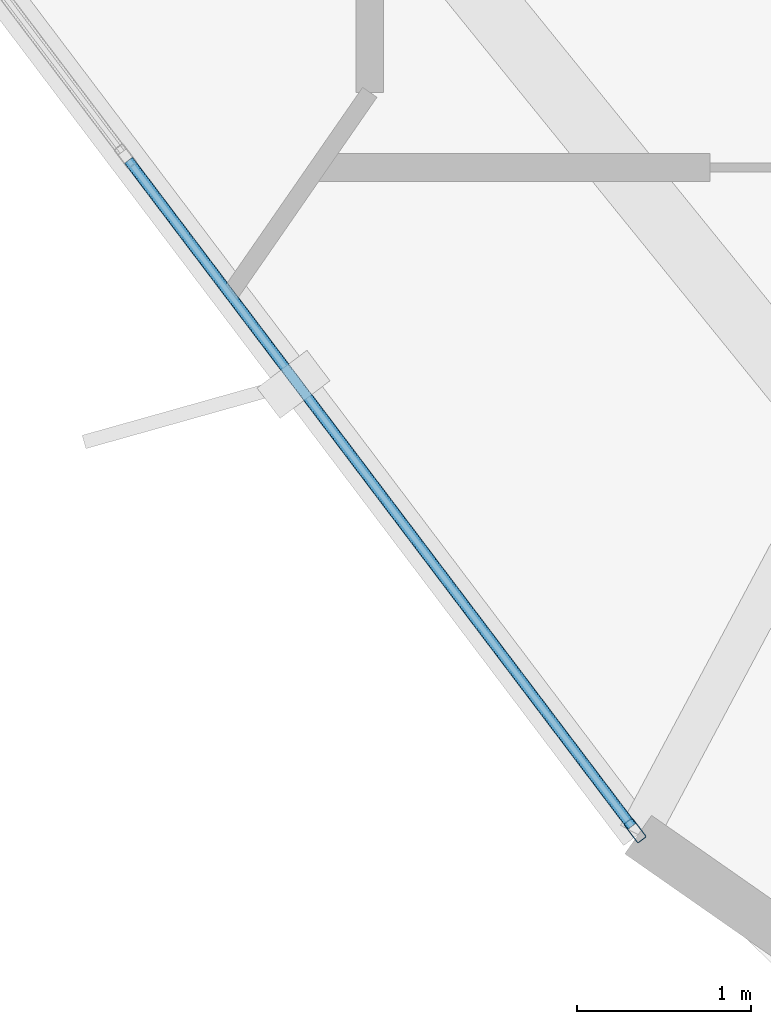
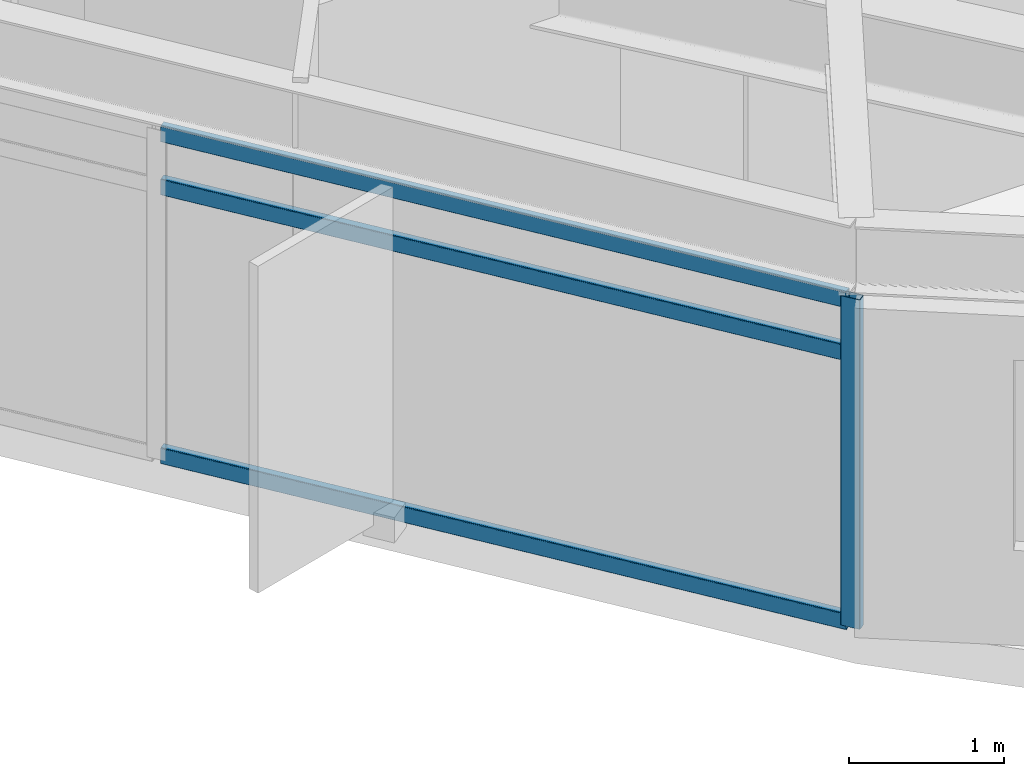
# One storey, part 2 of 34: 4 members, 1 element without a shape of its own.
"""IFC4 building model written with IfcOpenShell, lengths in metres."""

from ifc_helpers import new_model, si_unit, direction, frame, origin, origin_2d, place, context, subcontext, project, spatial, hollow_rectangle, extrude, material, layer, layer_set, material_profile, profile_set, type_object, element, aggregate, save


model = new_model("IFC4")

# Units and contexts
model_context = context("Model", 3, precision=1e-05, world=origin(), true_north=direction((0.0, 1.0)))
body_context = subcontext(model_context, "Body", "Model", "MODEL_VIEW")
ifc_project = project(units=[si_unit("LENGTHUNIT", "METRE"), si_unit("AREAUNIT", "SQUARE_METRE"), si_unit("VOLUMEUNIT", "CUBIC_METRE"), si_unit("PLANEANGLEUNIT", "RADIAN"), si_unit("MASSUNIT", "GRAM", prefix="KILO")], contexts=[model_context])

# Site, building, storey
site_placement = place(None, origin())
site = spatial("IfcSite", under=ifc_project, at=site_placement, CompositionType="ELEMENT")
building_placement = place(site_placement, origin())
building = spatial("IfcBuilding", under=site, at=building_placement, Name="Soratama Intermodal Tower", CompositionType="ELEMENT")
storey_placement = place(building_placement, frame((0.0, 0.0, 233.800048828125)))
storey = spatial("IfcBuildingStorey", under=building, at=storey_placement, Name="L59", CompositionType="ELEMENT", Elevation=233.800048828125)

# Curtain wall, members
ifc_material_1 = material(Name="Double-glazed aluminium curtain wall", Category="aluminium")
ifc_layer = layer(ifc_material_1, 0.159912109375)
ifc_layer_set = layer_set([ifc_layer], Name="Double-glazed aluminium curtain wall")
curtain_wall_type = type_object("IfcCurtainWallType", Name="CW-SYS-5", PredefinedType="NOTDEFINED", material=ifc_layer_set)
curtain_wall_placement = place(storey_placement, origin())
curtain_wall = element("IfcCurtainWall", 1, at=curtain_wall_placement, inside=storey, type_object=curtain_wall_type, Name="L59 Faceted Curtain Wall F05", PredefinedType="NOTDEFINED")
ifc_material_2 = material(Name="Anodised aluminium AA 6063-T6", Category="aluminium")
ifc_material_profile_1 = material_profile(ifc_material_2, hollow_rectangle(XDim=0.06494140625, YDim=0.139892578125, WallThickness=0.0048828125, InnerFilletRadius=0.0048828125, OuterFilletRadius=0.010009765625, at=origin_2d()), Name="CWM140X65X5")
ifc_profile_set_1 = profile_set([ifc_material_profile_1], Name="Anodised aluminium AA 6063-T6")
member_type_1 = type_object("IfcMemberType", Name="MT-CWM-5", PredefinedType="MULLION", material=ifc_profile_set_1)
member_1_placement = place(storey_placement, frame((32.07763671875, 9.13134765625, 0.0), z_axis=(0.0, 0.0, 1.0), x_axis=(0.797793680769, 0.602930545689, 0.0)))
member_1 = element("IfcMember", 2, at=member_1_placement, type_object=member_type_1, Name="CW-5 mullion 3", PredefinedType="MULLION", context=body_context, shape_type="SweptSolid", body=[
    extrude(hollow_rectangle(XDim=0.06494140625, YDim=0.139892578125, WallThickness=0.0048828125, InnerFilletRadius=0.0048828125, OuterFilletRadius=0.010009765625, at=origin_2d()), origin(), (0.0, 0.0, 1.0), 2.598876953125),
])
ifc_material_3 = material(Name="Anodised aluminium AA 6063-T6", Category="aluminium")
ifc_material_profile_2 = material_profile(ifc_material_3, hollow_rectangle(XDim=0.06005859375, YDim=0.1298828125, WallThickness=0.0048828125, InnerFilletRadius=0.0048828125, OuterFilletRadius=0.010009765625, at=origin_2d()), Name="CWT130X60X5")
ifc_profile_set_2 = profile_set([ifc_material_profile_2], Name="Anodised aluminium AA 6063-T6")
member_type_2 = type_object("IfcMemberType", Name="TT-CWT-2", PredefinedType="USERDEFINED", material=ifc_profile_set_2)
member_2_placement = place(storey_placement, frame((29.16015625, 12.99169921875, 0.030029296875), z_axis=(0.602936506073, -0.797789176189, 0.0), x_axis=(0.797789176189, 0.602936506073, 0.0)))
member_2 = element("IfcMember", 3, at=member_2_placement, type_object=member_type_2, Name="CW-5 transom 2.1", ObjectType="TRANSOM", PredefinedType="USERDEFINED", context=body_context, shape_type="SweptSolid", body=[
    extrude(hollow_rectangle(XDim=0.06005859375, YDim=0.1298828125, WallThickness=0.0048828125, InnerFilletRadius=0.0048828125, OuterFilletRadius=0.010009765625, at=origin_2d()), origin(), (0.0, 0.0, 1.0), 4.808837890625),
])
member_3_placement = place(storey_placement, frame((29.16015625, 12.99169921875, 2.14990234375), z_axis=(0.602936506073, -0.797789176189, 0.0), x_axis=(0.797789176189, 0.602936506073, 0.0)))
member_3 = element("IfcMember", 4, at=member_3_placement, type_object=member_type_2, Name="CW-5 transom 2.2", ObjectType="TRANSOM", PredefinedType="USERDEFINED", context=body_context, shape_type="SweptSolid", body=[
    extrude(hollow_rectangle(XDim=0.06005859375, YDim=0.1298828125, WallThickness=0.0048828125, InnerFilletRadius=0.0048828125, OuterFilletRadius=0.010009765625, at=origin_2d()), origin(), (0.0, 0.0, 1.0), 4.808837890625),
])
member_4_placement = place(storey_placement, frame((29.16015625, 12.99169921875, 2.56884765625), z_axis=(0.602936506073, -0.797789176189, 0.0), x_axis=(0.797789176189, 0.602936506073, 0.0)))
member_4 = element("IfcMember", 5, at=member_4_placement, type_object=member_type_2, Name="CW-5 transom 2.3", ObjectType="TRANSOM", PredefinedType="USERDEFINED", context=body_context, shape_type="SweptSolid", body=[
    extrude(hollow_rectangle(XDim=0.06005859375, YDim=0.1298828125, WallThickness=0.0048828125, InnerFilletRadius=0.0048828125, OuterFilletRadius=0.010009765625, at=origin_2d()), origin(), (0.0, 0.0, 1.0), 4.808837890625),
])
aggregate(curtain_wall, [member_1, member_2, member_3, member_4])

save(model, "model.ifc")
